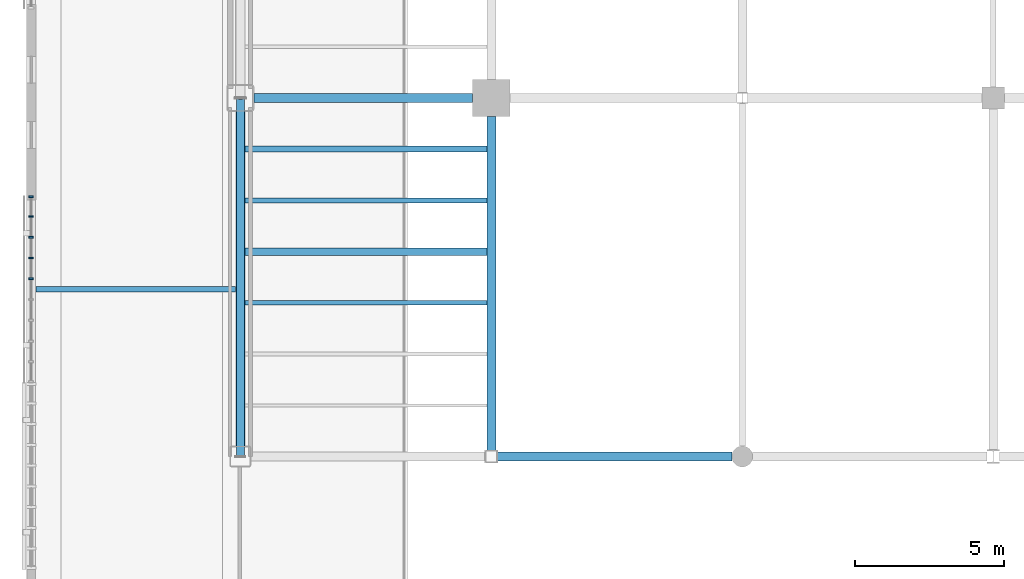
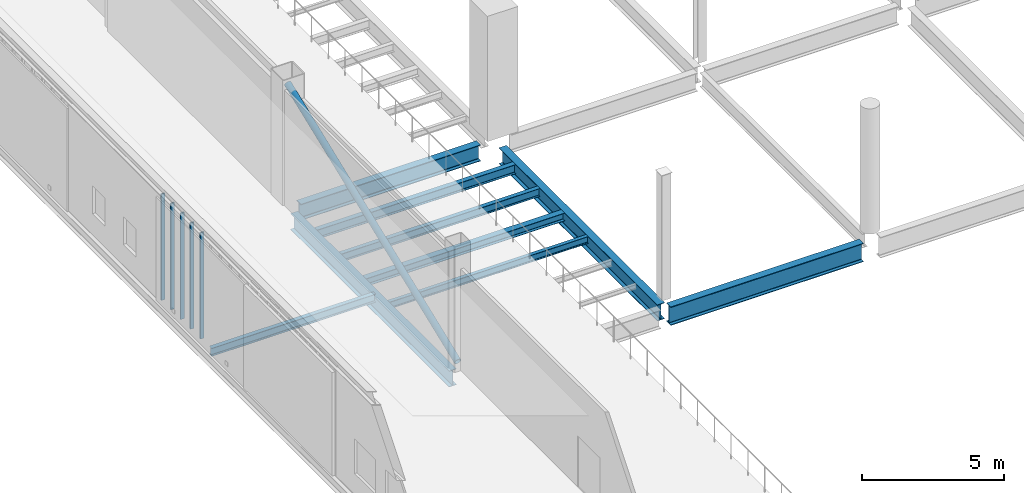
# One storey, part 22 of 127: 9 beams, 6 members, 1 element without a shape of its own.
"""IFC4 building model written with IfcOpenShell, lengths in metres."""

from ifc_helpers import new_model, si_unit, direction, frame, origin, origin_2d, place, context, subcontext, project, spatial, rectangle, hollow_circle, i_section, extrude, material, material_profile, profile_set, type_object, element, aggregate, save


model = new_model("IFC4")

# Units and contexts
model_context = context("Model", 3, precision=1e-05, world=origin(), true_north=direction((0.0, 1.0)))
body_context = subcontext(model_context, "Body", "Model", "MODEL_VIEW")
ifc_project = project(units=[si_unit("LENGTHUNIT", "METRE"), si_unit("AREAUNIT", "SQUARE_METRE"), si_unit("VOLUMEUNIT", "CUBIC_METRE"), si_unit("PLANEANGLEUNIT", "RADIAN"), si_unit("MASSUNIT", "GRAM", prefix="KILO")], contexts=[model_context])

# Site, building, storey
site_placement = place(None, origin())
site = spatial("IfcSite", under=ifc_project, at=site_placement, CompositionType="ELEMENT")
building_placement = place(site_placement, origin())
building = spatial("IfcBuilding", under=site, at=building_placement, Name="Larkvane Passage Sports Hall", CompositionType="ELEMENT")
storey_placement = place(building_placement, frame((0.0, 0.0, 5.39990234375)))
storey = spatial("IfcBuildingStorey", under=building, at=storey_placement, Name="L01", CompositionType="ELEMENT", Elevation=5.39990234375)

# Beams
ifc_material_1 = material(Name="Steel S460N", Category="steel")
ifc_material_profile_1 = material_profile(ifc_material_1, i_section(OverallWidth=0.300048828125, OverallDepth=0.69189453125, WebThickness=0.012939453125, FlangeThickness=0.02001953125, FilletRadius=0.02197265625, at=origin_2d()), Name="H-692x300x13x20")
ifc_profile_set_1 = profile_set([ifc_material_profile_1], Name="Steel S460N")
beam_type_1 = type_object("IfcBeamType", Name="BM-STL-H692", PredefinedType="BEAM", material=ifc_profile_set_1)
beam_1_placement = place(storey_placement, frame((34.800048828125, 51.949951171875, -0.765869140625), z_axis=(0.0, 1.0, 0.0), x_axis=(-1.0, 0.0, 0.0)))
element("IfcBeam", 1, at=beam_1_placement, inside=storey, type_object=beam_type_1, Name="Girder BM5-Y-L01-6-0446", PredefinedType="BEAM", context=body_context, shape_type="SweptSolid", body=[
    extrude(i_section(OverallWidth=0.300048828125, OverallDepth=0.69189453125, WebThickness=0.012939453125, FlangeThickness=0.02001953125, FilletRadius=0.02197265625, at=origin_2d()), origin(), (0.0, 0.0, 1.0), 11.199951171875),
])
ifc_material_profile_2 = material_profile(ifc_material_1, i_section(OverallWidth=0.300048828125, OverallDepth=0.699951171875, WebThickness=0.012939453125, FlangeThickness=0.02392578125, FilletRadius=0.02197265625, at=origin_2d()), Name="H-700x300x13x24")
ifc_profile_set_2 = profile_set([ifc_material_profile_2], Name="Steel S460N")
beam_type_2 = type_object("IfcBeamType", Name="BM-STL-H700", PredefinedType="BEAM", material=ifc_profile_set_2)
beam_2_placement = place(storey_placement, frame((35.25, 63.60009765625, -0.77001953125), z_axis=(1.0, 0.0, 0.0), x_axis=(0.0, 1.0, 0.0)))
element("IfcBeam", 2, at=beam_2_placement, inside=storey, type_object=beam_type_2, Name="Girder BM5-X-L01-H-0412", PredefinedType="BEAM", context=body_context, shape_type="SweptSolid", body=[
    extrude(i_section(OverallWidth=0.300048828125, OverallDepth=0.699951171875, WebThickness=0.012939453125, FlangeThickness=0.02392578125, FilletRadius=0.02197265625, at=origin_2d()), origin(), (0.0, 0.0, 1.0), 7.324951171875),
])
beam_3_placement = place(storey_placement, frame((43.199951171875, 51.800048828125, -0.77001953125), z_axis=(0.0, 1.0, 0.0), x_axis=(-1.0, 0.0, 0.0)))
element("IfcBeam", 3, at=beam_3_placement, inside=storey, type_object=beam_type_2, Name="Girder BM5-Y-L01-7-0451", PredefinedType="BEAM", context=body_context, shape_type="SweptSolid", body=[
    extrude(i_section(OverallWidth=0.300048828125, OverallDepth=0.699951171875, WebThickness=0.012939453125, FlangeThickness=0.02392578125, FilletRadius=0.02197265625, at=origin_2d()), origin(), (0.0, 0.0, 1.0), 11.175048828125),
])
ifc_material_profile_3 = material_profile(ifc_material_1, i_section(OverallWidth=0.300048828125, OverallDepth=0.800048828125, WebThickness=0.013916015625, FlangeThickness=0.02587890625, FilletRadius=0.02197265625, at=origin_2d()), Name="H-800x300x14x26")
ifc_profile_set_3 = profile_set([ifc_material_profile_3], Name="Steel S460N")
beam_type_3 = type_object("IfcBeamType", Name="BM-STL-H800", PredefinedType="BEAM", material=ifc_profile_set_3)
beam_4_placement = place(storey_placement, frame((43.39990234375, 51.60009765625, -0.81982421875), z_axis=(1.0, 0.0, 0.0), x_axis=(0.0, 1.0, 0.0)))
element("IfcBeam", 4, at=beam_4_placement, inside=storey, type_object=beam_type_3, Name="Girder BM5-X-L01-G-0401", PredefinedType="BEAM", context=body_context, shape_type="SweptSolid", body=[
    extrude(i_section(OverallWidth=0.300048828125, OverallDepth=0.800048828125, WebThickness=0.013916015625, FlangeThickness=0.02587890625, FilletRadius=0.02197265625, at=origin_2d()), origin(), (0.0, 0.0, 1.0), 7.85009765625),
])

# Curtain wall, members
ifc_material_2 = material(Name="Thermally broken aluminium and low-E glazing", Category="aluminium")
curtain_wall_type = type_object("IfcCurtainWallType", Name="CW-UNIT-COURT", PredefinedType="USERDEFINED", material=ifc_material_2)
curtain_wall_placement = place(storey_placement, origin())
curtain_wall = element("IfcCurtainWall", 5, at=curtain_wall_placement, inside=storey, type_object=curtain_wall_type, Name="Curtain wall CW5-L01-036", ObjectType="UNITISED CURTAIN WALL", PredefinedType="USERDEFINED")
ifc_material_3 = material(Name="Anodised aluminium 6063-T6", Category="aluminium")
ifc_material_profile_4 = material_profile(ifc_material_3, rectangle(XDim=0.06005859375, YDim=0.14990234375, at=origin_2d()), Name="ALU-MUL-60x150")
ifc_profile_set_4 = profile_set([ifc_material_profile_4], Name="Anodised aluminium 6063-T6")
member_type_1 = type_object("IfcMemberType", Name="CW-MUL-60x150", PredefinedType="MULLION", material=ifc_profile_set_4)
member_1_placement = place(storey_placement, frame((27.800048828125, 57.54736328125, 0.0), z_axis=(0.0, 0.0, 1.0), x_axis=(0.0, 1.0, 0.0)))
member_1 = element("IfcMember", 6, at=member_1_placement, type_object=member_type_1, Name="CW-01 mullion 6", PredefinedType="MULLION", context=body_context, shape_type="SweptSolid", body=[
    extrude(rectangle(XDim=0.06005859375, YDim=0.14990234375, at=origin_2d()), origin(), (0.0, 0.0, 1.0), 4.578125),
])
member_2_placement = place(storey_placement, frame((27.800048828125, 58.242431640625, 0.0), z_axis=(0.0, 0.0, 1.0), x_axis=(0.0, 1.0, 0.0)))
member_2 = element("IfcMember", 7, at=member_2_placement, type_object=member_type_1, Name="CW-01 mullion 7", PredefinedType="MULLION", context=body_context, shape_type="SweptSolid", body=[
    extrude(rectangle(XDim=0.06005859375, YDim=0.14990234375, at=origin_2d()), origin(), (0.0, 0.0, 1.0), 4.578125),
])
member_3_placement = place(storey_placement, frame((27.800048828125, 58.9375, 0.0), z_axis=(0.0, 0.0, 1.0), x_axis=(0.0, 1.0, 0.0)))
member_3 = element("IfcMember", 8, at=member_3_placement, type_object=member_type_1, Name="CW-01 mullion 8", PredefinedType="MULLION", context=body_context, shape_type="SweptSolid", body=[
    extrude(rectangle(XDim=0.06005859375, YDim=0.14990234375, at=origin_2d()), origin(), (0.0, 0.0, 1.0), 4.578125),
])
member_4_placement = place(storey_placement, frame((27.800048828125, 59.63232421875, 0.0), z_axis=(0.0, 0.0, 1.0), x_axis=(0.0, 1.0, 0.0)))
member_4 = element("IfcMember", 9, at=member_4_placement, type_object=member_type_1, Name="CW-01 mullion 9", PredefinedType="MULLION", context=body_context, shape_type="SweptSolid", body=[
    extrude(rectangle(XDim=0.06005859375, YDim=0.14990234375, at=origin_2d()), origin(), (0.0, 0.0, 1.0), 4.578125),
])
member_5_placement = place(storey_placement, frame((27.800048828125, 60.29736328125, 0.0), z_axis=(0.0, 0.0, 1.0), x_axis=(0.0, 1.0, 0.0)))
member_5 = element("IfcMember", 10, at=member_5_placement, type_object=member_type_1, Name="CW-01 mullion 10", PredefinedType="MULLION", context=body_context, shape_type="SweptSolid", body=[
    extrude(rectangle(XDim=0.06005859375, YDim=0.14990234375, at=origin_2d()), origin(), (0.0, 0.0, 1.0), 4.578125),
])
aggregate(curtain_wall, [member_1, member_2, member_3, member_4, member_5])

# Beams
ifc_material_4 = material(Name="Steel S355JR", Category="steel")
ifc_material_profile_5 = material_profile(ifc_material_4, i_section(OverallWidth=0.14990234375, OverallDepth=0.300048828125, WebThickness=0.006591796875, FlangeThickness=0.009033203125, FilletRadius=0.012939453125, at=origin_2d()), Name="H-300x150x6.5x9")
ifc_profile_set_5 = profile_set([ifc_material_profile_5], Name="Steel S355JR")
beam_type_4 = type_object("IfcBeamType", Name="JST-STL-H300", PredefinedType="JOIST", material=ifc_profile_set_5)
beam_5_placement = place(storey_placement, frame((34.949951171875, 56.742919921875, -0.56982421875), z_axis=(1.0, 0.0, 0.0), x_axis=(0.0, 1.0, 0.0)))
element("IfcBeam", 11, at=beam_5_placement, inside=storey, type_object=beam_type_4, Name="Composite joist L01 6/G-3", PredefinedType="JOIST", context=body_context, shape_type="SweptSolid", body=[
    extrude(i_section(OverallWidth=0.14990234375, OverallDepth=0.300048828125, WebThickness=0.006591796875, FlangeThickness=0.009033203125, FilletRadius=0.012939453125, at=origin_2d()), origin(), (0.0, 0.0, 1.0), 8.10009765625),
])
ifc_material_profile_6 = material_profile(ifc_material_4, i_section(OverallWidth=0.25, OverallDepth=0.340087890625, WebThickness=0.009033203125, FlangeThickness=0.013916015625, FilletRadius=0.012939453125, at=origin_2d()), Name="H-340x250x9x14")
ifc_profile_set_6 = profile_set([ifc_material_profile_6], Name="Steel S355JR")
beam_type_5 = type_object("IfcBeamType", Name="JST-STL-H340", PredefinedType="JOIST", material=ifc_profile_set_6)
beam_6_placement = place(storey_placement, frame((34.949951171875, 58.45703125, -0.58984375), z_axis=(1.0, 0.0, 0.0), x_axis=(0.0, 1.0, 0.0)))
element("IfcBeam", 12, at=beam_6_placement, inside=storey, type_object=beam_type_5, Name="Composite joist L01 6/G-4", PredefinedType="JOIST", context=body_context, shape_type="SweptSolid", body=[
    extrude(i_section(OverallWidth=0.25, OverallDepth=0.340087890625, WebThickness=0.009033203125, FlangeThickness=0.013916015625, FilletRadius=0.012939453125, at=origin_2d()), origin(), (0.0, 0.0, 1.0), 8.10009765625),
])
ifc_material_profile_7 = material_profile(ifc_material_4, i_section(OverallWidth=0.175048828125, OverallDepth=0.35009765625, WebThickness=0.007080078125, FlangeThickness=0.010986328125, FilletRadius=0.012939453125, at=origin_2d()), Name="H-350x175x7x11")
ifc_profile_set_7 = profile_set([ifc_material_profile_7], Name="Steel S355JR")
beam_type_6 = type_object("IfcBeamType", Name="JST-STL-H350", PredefinedType="JOIST", material=ifc_profile_set_7)
beam_7_placement = place(storey_placement, frame((34.949951171875, 60.17138671875, -0.594970703125), z_axis=(1.0, 0.0, 0.0), x_axis=(0.0, 1.0, 0.0)))
element("IfcBeam", 13, at=beam_7_placement, inside=storey, type_object=beam_type_6, Name="Composite joist L01 6/G-5", PredefinedType="JOIST", context=body_context, shape_type="SweptSolid", body=[
    extrude(i_section(OverallWidth=0.175048828125, OverallDepth=0.35009765625, WebThickness=0.007080078125, FlangeThickness=0.010986328125, FilletRadius=0.012939453125, at=origin_2d()), origin(), (0.0, 0.0, 1.0), 8.10009765625),
])
beam_8_placement = place(storey_placement, frame((27.9599609375, 57.199951171875, -0.40478515625), z_axis=(1.0, 0.0, 0.0), x_axis=(0.0, 1.0, 0.0)))
element("IfcBeam", 14, at=beam_8_placement, inside=storey, type_object=beam_type_6, Name="Cantilever floor joist CT-W1A--1-3", PredefinedType="JOIST", context=body_context, shape_type="SweptSolid", body=[
    extrude(i_section(OverallWidth=0.175048828125, OverallDepth=0.35009765625, WebThickness=0.007080078125, FlangeThickness=0.010986328125, FilletRadius=0.012939453125, at=origin_2d()), origin(), (0.0, 0.0, 1.0), 6.679931640625),
])
ifc_material_profile_8 = material_profile(ifc_material_4, i_section(OverallWidth=0.199951171875, OverallDepth=0.39990234375, WebThickness=0.008056640625, FlangeThickness=0.012939453125, FilletRadius=0.012939453125, at=origin_2d()), Name="H-400x200x8x13")
ifc_profile_set_8 = profile_set([ifc_material_profile_8], Name="Steel S355JR")
beam_type_7 = type_object("IfcBeamType", Name="JST-STL-H400", PredefinedType="JOIST", material=ifc_profile_set_8)
beam_9_placement = place(storey_placement, frame((34.949951171875, 61.8857421875, -0.619873046875), z_axis=(1.0, 0.0, 0.0), x_axis=(0.0, 1.0, 0.0)))
element("IfcBeam", 15, at=beam_9_placement, inside=storey, type_object=beam_type_7, Name="Composite joist L01 6/G-6", PredefinedType="JOIST", context=body_context, shape_type="SweptSolid", body=[
    extrude(i_section(OverallWidth=0.199951171875, OverallDepth=0.39990234375, WebThickness=0.008056640625, FlangeThickness=0.012939453125, FilletRadius=0.012939453125, at=origin_2d()), origin(), (0.0, 0.0, 1.0), 8.10009765625),
])

# Member
ifc_material_profile_9 = material_profile(ifc_material_4, hollow_circle(Radius=0.1337890625, WallThickness=0.00927734375, at=origin_2d()), Name="CHS-267.4x9.3")
ifc_profile_set_9 = profile_set([ifc_material_profile_9], Name="Steel S355JR")
member_type_2 = type_object("IfcMemberType", Name="MBR-BR-CHS267", PredefinedType="BRACE", material=ifc_profile_set_9)
member_6_placement = place(storey_placement, frame((34.800048828125, 51.60009765625, 0.150146484375), z_axis=(0.0, 0.931129537334, 0.364688613347), x_axis=(-1.0, 0.0, 0.0)))
element("IfcMember", 16, at=member_6_placement, inside=storey, type_object=member_type_2, Name="Lateral frame brace L01-1", PredefinedType="BRACE", context=body_context, shape_type="SweptSolid", body=[
    extrude(hollow_circle(Radius=0.1337890625, WallThickness=0.00927734375, at=origin_2d()), origin(), (0.0, 0.0, 1.0), 12.887451171875),
])

save(model, "model.ifc")
